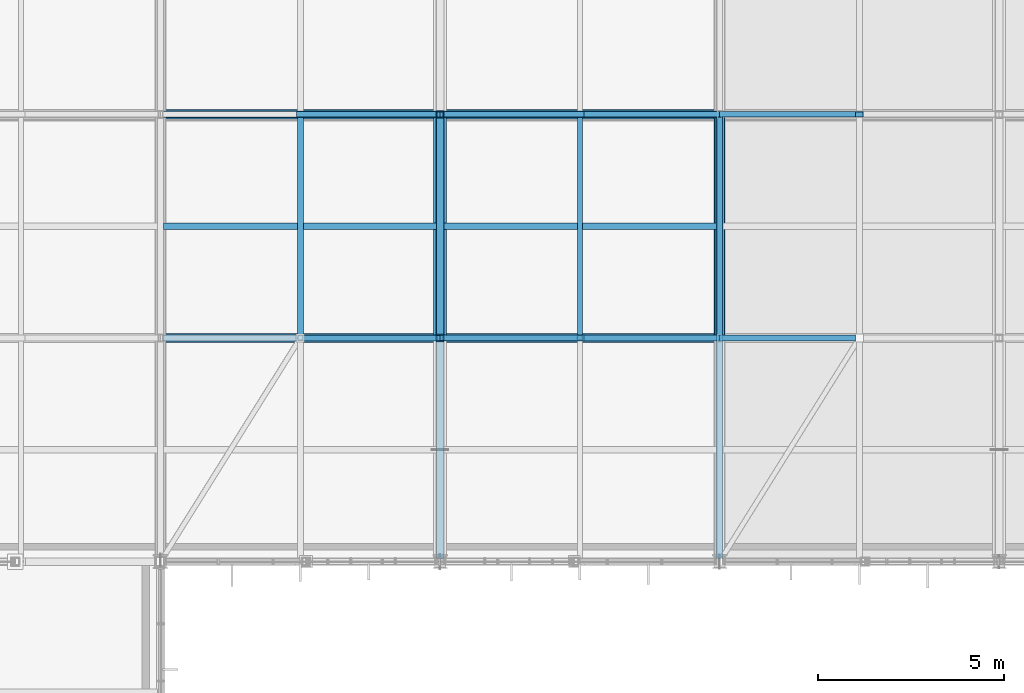
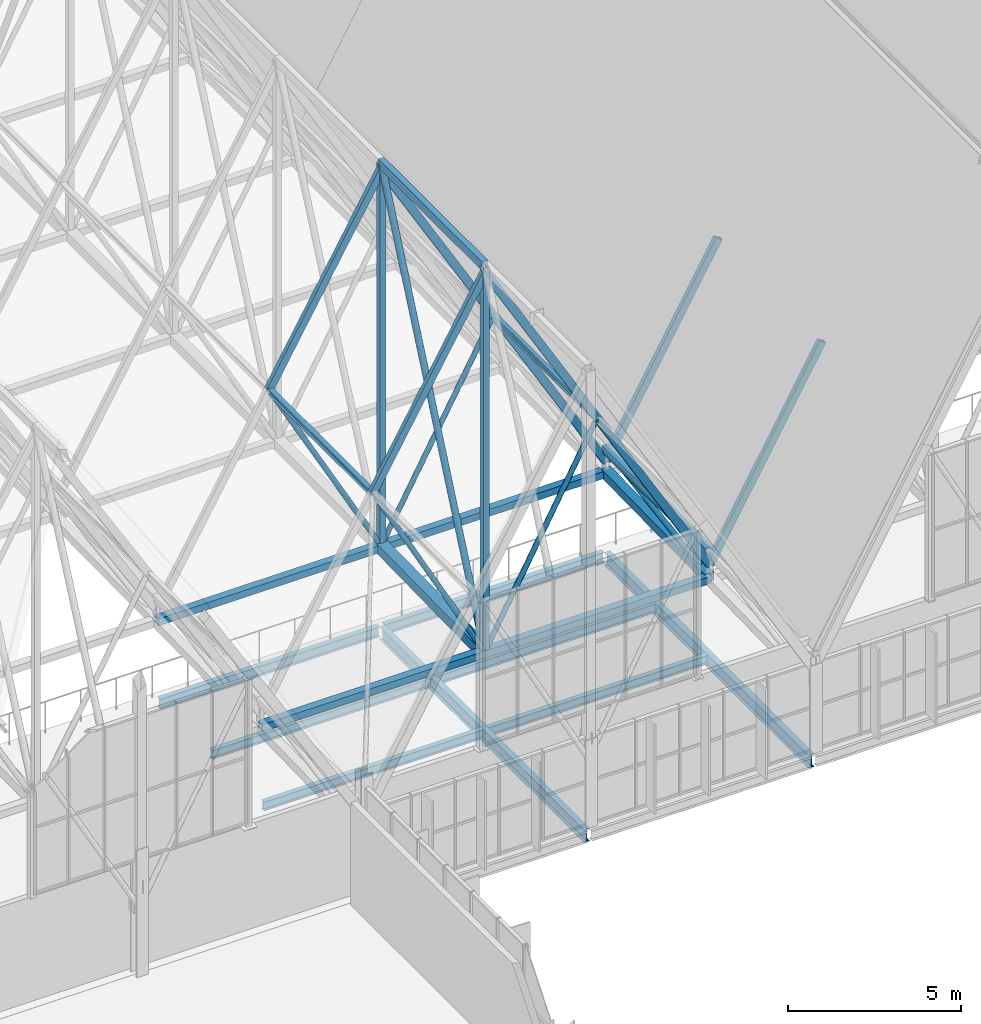
# One storey, part 102 of 324: 22 members, 10 beams.
"""IFC4 building model written with IfcOpenShell, lengths in metres."""

from ifc_helpers import new_model, si_unit, direction, frame, origin, origin_2d, place, context, subcontext, project, spatial, hollow_rectangle, hollow_circle, i_section, extrude, material, material_profile, profile_set, type_object, element, save


model = new_model("IFC4")

# Units and contexts
model_context = context("Model", 3, precision=1e-05, world=origin(), true_north=direction((0.0, 1.0)))
body_context = subcontext(model_context, "Body", "Model", "MODEL_VIEW")
ifc_project = project(units=[si_unit("LENGTHUNIT", "METRE"), si_unit("AREAUNIT", "SQUARE_METRE"), si_unit("VOLUMEUNIT", "CUBIC_METRE"), si_unit("PLANEANGLEUNIT", "RADIAN"), si_unit("MASSUNIT", "GRAM", prefix="KILO")], contexts=[model_context])

# Site, building, storey
site_placement = place(None, origin())
site = spatial("IfcSite", under=ifc_project, at=site_placement, CompositionType="ELEMENT")
building_placement = place(site_placement, origin())
building = spatial("IfcBuilding", under=site, at=building_placement, Name="Solvenia Promenade Tram Depot", CompositionType="ELEMENT")
storey_placement = place(building_placement, frame((0.0, 0.0, 4.5)))
storey = spatial("IfcBuildingStorey", under=building, at=storey_placement, Name="L01", CompositionType="ELEMENT", Elevation=4.5)

# Beams
ifc_material_1 = material(Name="Structural steel ASTM A992 Gr. 50", Category="steel")
ifc_material_profile_1 = material_profile(ifc_material_1, i_section(OverallWidth=0.19091796875, OverallDepth=0.4599609375, WebThickness=0.010009765625, FlangeThickness=0.01611328125, FilletRadius=0.012939453125, at=origin_2d()), Name="W460x82", Category="steel")
ifc_profile_set_1 = profile_set([ifc_material_profile_1], Name="Structural steel ASTM A992 Gr. 50")
beam_type_1 = type_object("IfcBeamType", Name="Beam-W460x82", PredefinedType="BEAM", material=ifc_profile_set_1)
for number, where, z_axis, x_axis, name in (
    (1, (52.5, 66.0849609375, -0.449951171875), (0.0, 1.0, 0.0), (-1.0, 0.0, 0.0), "Transverse Girder BM-L01-0048"),
    (2, (60.0, 66.0849609375, -0.449951171875), (0.0, 1.0, 0.0), (-1.0, 0.0, 0.0), "Transverse Girder BM-L01-0049"),
):
    element("IfcBeam", number, at=place(storey_placement, frame(where, z_axis=z_axis, x_axis=x_axis)), inside=storey, type_object=beam_type_1, Name=name, PredefinedType="BEAM", context=body_context, shape_type="SweptSolid", body=[
        extrude(i_section(OverallWidth=0.19091796875, OverallDepth=0.4599609375, WebThickness=0.010009765625, FlangeThickness=0.01611328125, FilletRadius=0.012939453125, at=origin_2d()), origin(), (0.0, 0.0, 1.0), 11.830078125),
    ])

# Members
ifc_material_2 = material(Name="Structural steel ASTM A500 Gr. C", Category="steel")
ifc_material_profile_2 = material_profile(ifc_material_2, hollow_circle(Radius=0.109619140625, WallThickness=0.008056640625, at=origin_2d()), Name="CHS219.1x8", Category="steel")
ifc_profile_set_2 = profile_set([ifc_material_profile_2], Name="Structural steel ASTM A500 Gr. C")
member_type_1 = type_object("IfcMemberType", Name="Brace-CHS219x8", PredefinedType="BRACE", material=ifc_profile_set_2)
member_1_placement = place(storey_placement, frame((52.5, 72.0, 2.446044921875), z_axis=(0.0, 0.402603008516, 0.915374686964), x_axis=(-1.0, 0.0, 0.0)))
element("IfcMember", 3, at=member_1_placement, inside=storey, type_object=member_type_1, Name="Arched Truss T08 Web Diagonal S02", PredefinedType="BRACE", context=body_context, shape_type="SweptSolid", body=[
    extrude(hollow_circle(Radius=0.109619140625, WallThickness=0.008056640625, at=origin_2d()), origin(), (0.0, 0.0, 1.0), 14.903076171875),
])
ifc_material_profile_3 = material_profile(ifc_material_2, hollow_rectangle(XDim=0.14990234375, YDim=0.25, WallThickness=0.010009765625, at=origin_2d()), Name="HSS250x150x10", Category="steel")
ifc_profile_set_3 = profile_set([ifc_material_profile_3], Name="Structural steel ASTM A500 Gr. C")
member_type_2 = type_object("IfcMemberType", Name="Chord-HSS250x150x10", PredefinedType="CHORD", material=ifc_profile_set_3)
for number, where, z_axis, x_axis, name in (
    (4, (48.75, 72.0, 9.39013671875), (0.501516268578, 0.0, 0.865148214095), (0.0, 1.0, 0.0), "Zigzag Gable 04 West Upper Rafter"),
    (5, (52.5, 72.0, 15.859130859375), (0.501516268578, 0.0, -0.865148214095), (0.0, 1.0, 0.0), "Zigzag Gable 04 East Upper Rafter"),
    (6, (56.25, 72.0, 9.39013671875), (0.501516268578, 0.0, -0.865148214095), (0.0, 1.0, 0.0), "Zigzag Gable 04 East Lower Rafter"),
    (7, (48.75, 78.0, 9.39013671875), (0.501516268578, 0.0, 0.865148214095), (0.0, 1.0, 0.0), "Zigzag Gable 04 West Upper Rafter"),
    (8, (52.5, 78.0, 15.859130859375), (0.501516268578, 0.0, -0.865148214095), (0.0, 1.0, 0.0), "Zigzag Gable 04 East Upper Rafter"),
    (9, (56.25, 78.0, 9.39013671875), (0.501516268578, 0.0, -0.865148214095), (0.0, 1.0, 0.0), "Zigzag Gable 04 East Lower Rafter"),
):
    element("IfcMember", number, at=place(storey_placement, frame(where, z_axis=z_axis, x_axis=x_axis)), inside=storey, type_object=member_type_2, Name=name, PredefinedType="CHORD", context=body_context, shape_type="SweptSolid", body=[
        extrude(hollow_rectangle(XDim=0.14990234375, YDim=0.25, WallThickness=0.010009765625, at=origin_2d()), origin(), (0.0, 0.0, 1.0), 7.477294921875),
    ])
for number, where, z_axis, x_axis, name in (
    (10, (60.0, 72.0, 2.916259765625), (0.494861595532, 0.0, 0.868971806946), (0.0, 1.0, 0.0), "Zigzag Gable 05 West Lower Rafter"),
    (11, (60.0, 78.0, 2.916259765625), (0.494861595532, 0.0, 0.868971806946), (0.0, 1.0, 0.0), "Zigzag Gable 05 West Lower Rafter"),
):
    element("IfcMember", number, at=place(storey_placement, frame(where, z_axis=z_axis, x_axis=x_axis)), inside=storey, type_object=member_type_2, Name=name, PredefinedType="CHORD", context=body_context, shape_type="SweptSolid", body=[
        extrude(hollow_rectangle(XDim=0.14990234375, YDim=0.25, WallThickness=0.010009765625, at=origin_2d()), origin(), (0.0, 0.0, 1.0), 7.577880859375),
    ])
ifc_material_profile_4 = material_profile(ifc_material_2, hollow_rectangle(XDim=0.25, YDim=0.25, WallThickness=0.010009765625, at=origin_2d()), Name="HSS250x250x10", Category="steel")
ifc_profile_set_4 = profile_set([ifc_material_profile_4], Name="Structural steel ASTM A500 Gr. C")
member_type_3 = type_object("IfcMemberType", Name="Chord-HSS250x250x10", PredefinedType="CHORD", material=ifc_profile_set_4)
member_2_placement = place(storey_placement, frame((60.0, 72.0, 3.3798828125), z_axis=(0.0, 1.0, 0.0), x_axis=(-1.0, 0.0, 0.0)))
element("IfcMember", 12, at=member_2_placement, inside=storey, type_object=member_type_3, Name="Arched Truss T09 Upper Chord S02", PredefinedType="CHORD", context=body_context, shape_type="SweptSolid", body=[
    extrude(hollow_rectangle(XDim=0.25, YDim=0.25, WallThickness=0.010009765625, at=origin_2d()), origin(), (0.0, 0.0, 1.0), 6.0),
])
for number, where, z_axis, x_axis, name in (
    (13, (45.0, 72.0, 2.446044921875), (1.0, 0.0, 0.0), (0.0, 1.0, 0.0), "Bottom-Chord Catenary Lateral Tie 028"),
    (14, (45.0, 78.0, 2.5439453125), (1.0, 0.0, 0.0), (0.0, 1.0, 0.0), "Bottom-Chord Catenary Lateral Tie 029"),
):
    element("IfcMember", number, at=place(storey_placement, frame(where, z_axis=z_axis, x_axis=x_axis)), inside=storey, type_object=member_type_3, Name=name, PredefinedType="CHORD", context=body_context, shape_type="SweptSolid", body=[
        extrude(hollow_rectangle(XDim=0.25, YDim=0.25, WallThickness=0.010009765625, at=origin_2d()), origin(), (0.0, 0.0, 1.0), 15.0),
    ])
ifc_material_profile_5 = material_profile(ifc_material_2, hollow_rectangle(XDim=0.199951171875, YDim=0.300048828125, WallThickness=0.012451171875, at=origin_2d()), Name="HSS300x200x12.5", Category="steel")
ifc_profile_set_5 = profile_set([ifc_material_profile_5], Name="Structural steel ASTM A500 Gr. C")
member_type_4 = type_object("IfcMemberType", Name="Chord-HSS300x200x12", PredefinedType="CHORD", material=ifc_profile_set_5)
member_3_placement = place(storey_placement, frame((52.5, 72.0, 16.087890625), z_axis=(0.0, 1.0, 0.0), x_axis=(-1.0, 0.0, 0.0)))
element("IfcMember", 15, at=member_3_placement, inside=storey, type_object=member_type_4, Name="Arched Truss T08 Upper Chord S02", PredefinedType="CHORD", context=body_context, shape_type="SweptSolid", body=[
    extrude(hollow_rectangle(XDim=0.199951171875, YDim=0.300048828125, WallThickness=0.012451171875, at=origin_2d()), origin(), (0.0, 0.0, 1.0), 6.0),
])
ifc_material_profile_6 = material_profile(ifc_material_2, hollow_rectangle(XDim=0.300048828125, YDim=0.300048828125, WallThickness=0.012451171875, at=origin_2d()), Name="HSS300x300x12.5", Category="steel")
ifc_profile_set_6 = profile_set([ifc_material_profile_6], Name="Structural steel ASTM A500 Gr. C")
member_type_5 = type_object("IfcMemberType", Name="Chord-HSS300x300x12", PredefinedType="CHORD", material=ifc_profile_set_6)
member_4_placement = place(storey_placement, frame((60.0, 72.0, 2.446044921875), z_axis=(0.0, 0.999866908707, 0.016314560156), x_axis=(-1.0, 0.0, 0.0)))
element("IfcMember", 16, at=member_4_placement, inside=storey, type_object=member_type_5, Name="Arched Truss T09 Bottom Chord S02", PredefinedType="CHORD", context=body_context, shape_type="SweptSolid", body=[
    extrude(hollow_rectangle(XDim=0.300048828125, YDim=0.300048828125, WallThickness=0.012451171875, at=origin_2d()), origin(), (0.0, 0.0, 1.0), 6.000732421875),
])
ifc_material_profile_7 = material_profile(ifc_material_2, hollow_rectangle(XDim=0.35009765625, YDim=0.35009765625, WallThickness=0.01611328125, at=origin_2d()), Name="HSS350x350x16", Category="steel")
ifc_profile_set_7 = profile_set([ifc_material_profile_7], Name="Structural steel ASTM A500 Gr. C")
member_type_6 = type_object("IfcMemberType", Name="Chord-HSS350x350x16", PredefinedType="CHORD", material=ifc_profile_set_7)
member_5_placement = place(storey_placement, frame((52.5, 72.0, 2.446044921875), z_axis=(0.0, 0.999866908707, 0.016314560156), x_axis=(-1.0, 0.0, 0.0)))
element("IfcMember", 17, at=member_5_placement, inside=storey, type_object=member_type_6, Name="Arched Truss T08 Bottom Chord S02", PredefinedType="CHORD", context=body_context, shape_type="SweptSolid", body=[
    extrude(hollow_rectangle(XDim=0.35009765625, YDim=0.35009765625, WallThickness=0.01611328125, at=origin_2d()), origin(), (0.0, 0.0, 1.0), 6.000732421875),
])

# Beams
ifc_material_profile_8 = material_profile(ifc_material_1, i_section(OverallWidth=0.166015625, OverallDepth=0.31298828125, WebThickness=0.006591796875, FlangeThickness=0.01123046875, FilletRadius=0.010009765625, at=origin_2d()), Name="W310x45", Category="steel")
ifc_profile_set_8 = profile_set([ifc_material_profile_8], Name="Structural steel ASTM A992 Gr. 50")
beam_type_2 = type_object("IfcBeamType", Name="Joist-W310x45", PredefinedType="JOIST", material=ifc_profile_set_8)
for number, where, z_axis, x_axis, name in (
    (18, (45.0849609375, 72.0, -0.37646484375), (1.0, 0.0, 0.0), (0.0, 1.0, 0.0), "Secondary Floor Joist BM-L01-0080"),
    (19, (45.0849609375, 75.0, -0.37646484375), (1.0, 0.0, 0.0), (0.0, 1.0, 0.0), "Secondary Floor Joist BM-L01-0081"),
    (20, (52.5849609375, 72.0, -0.37646484375), (1.0, 0.0, 0.0), (0.0, 1.0, 0.0), "Secondary Floor Joist BM-L01-0083"),
    (21, (52.5849609375, 75.0, -0.37646484375), (1.0, 0.0, 0.0), (0.0, 1.0, 0.0), "Secondary Floor Joist BM-L01-0084"),
):
    element("IfcBeam", number, at=place(storey_placement, frame(where, z_axis=z_axis, x_axis=x_axis)), inside=storey, type_object=beam_type_2, Name=name, PredefinedType="JOIST", context=body_context, shape_type="SweptSolid", body=[
        extrude(i_section(OverallWidth=0.166015625, OverallDepth=0.31298828125, WebThickness=0.006591796875, FlangeThickness=0.01123046875, FilletRadius=0.010009765625, at=origin_2d()), origin(), (0.0, 0.0, 1.0), 7.330078125),
    ])

# Members
ifc_material_profile_9 = material_profile(ifc_material_2, hollow_rectangle(XDim=0.199951171875, YDim=0.199951171875, WallThickness=0.010009765625, at=origin_2d()), Name="HSS200x200x10", Category="steel")
ifc_profile_set_9 = profile_set([ifc_material_profile_9], Name="Structural steel ASTM A500 Gr. C")
member_type_7 = type_object("IfcMemberType", Name="Post-HSS200x200x10", PredefinedType="POST", material=ifc_profile_set_9)
member_6_placement = place(storey_placement, frame((52.5, 72.0, 2.446044921875), z_axis=(0.0, 0.0, 1.0), x_axis=(1.0, 0.0, 0.0)))
element("IfcMember", 22, at=member_6_placement, inside=storey, type_object=member_type_7, Name="Arched Truss T08 Web Post S01", PredefinedType="POST", context=body_context, shape_type="SweptSolid", body=[
    extrude(hollow_rectangle(XDim=0.199951171875, YDim=0.199951171875, WallThickness=0.010009765625, at=origin_2d()), origin(), (0.0, 0.0, 1.0), 13.641845703125),
])
member_7_placement = place(storey_placement, frame((52.5, 78.0, 2.5439453125), z_axis=(0.0, 0.0, 1.0), x_axis=(1.0, 0.0, 0.0)))
element("IfcMember", 23, at=member_7_placement, inside=storey, type_object=member_type_7, Name="Arched Truss T08 Web Post S02", PredefinedType="POST", context=body_context, shape_type="SweptSolid", body=[
    extrude(hollow_rectangle(XDim=0.199951171875, YDim=0.199951171875, WallThickness=0.010009765625, at=origin_2d()), origin(), (0.0, 0.0, 1.0), 13.5439453125),
])

# Beams
ifc_material_profile_10 = material_profile(ifc_material_1, i_section(OverallWidth=0.133056640625, OverallDepth=0.20703125, WebThickness=0.005859375, FlangeThickness=0.00830078125, FilletRadius=0.009033203125, at=origin_2d()), Name="W200x27", Category="steel")
ifc_profile_set_10 = profile_set([ifc_material_profile_10], Name="Structural steel ASTM A992 Gr. 50")
beam_type_3 = type_object("IfcBeamType", Name="Purlin-W200x27", PredefinedType="USERDEFINED", material=ifc_profile_set_10)
beam_1_placement = place(storey_placement, frame((56.25, 72.0849609375, 9.375732421875), z_axis=(0.0, 1.0, 0.0), x_axis=(-1.0, 0.0, 0.0)))
element("IfcBeam", 24, at=beam_1_placement, inside=storey, type_object=beam_type_3, Name="Gable Roof Purlin E-0064", ObjectType="PURLIN", PredefinedType="USERDEFINED", context=body_context, shape_type="SweptSolid", body=[
    extrude(i_section(OverallWidth=0.133056640625, OverallDepth=0.20703125, WebThickness=0.005859375, FlangeThickness=0.00830078125, FilletRadius=0.009033203125, at=origin_2d()), origin(), (0.0, 0.0, 1.0), 5.830078125),
])
ifc_material_profile_11 = material_profile(ifc_material_1, i_section(OverallWidth=0.1650390625, OverallDepth=0.200927734375, WebThickness=0.006103515625, FlangeThickness=0.01025390625, FilletRadius=0.010009765625, at=origin_2d()), Name="W200x36", Category="steel")
ifc_profile_set_11 = profile_set([ifc_material_profile_11], Name="Structural steel ASTM A992 Gr. 50")
beam_type_4 = type_object("IfcBeamType", Name="Purlin-W200x36", PredefinedType="USERDEFINED", material=ifc_profile_set_11)
beam_2_placement = place(storey_placement, frame((48.75, 72.0849609375, 9.375732421875), z_axis=(0.0, 1.0, 0.0), x_axis=(-1.0, 0.0, 0.0)))
element("IfcBeam", 25, at=beam_2_placement, inside=storey, type_object=beam_type_4, Name="Gable Roof Purlin W-0063", ObjectType="PURLIN", PredefinedType="USERDEFINED", context=body_context, shape_type="SweptSolid", body=[
    extrude(i_section(OverallWidth=0.1650390625, OverallDepth=0.200927734375, WebThickness=0.006103515625, FlangeThickness=0.01025390625, FilletRadius=0.010009765625, at=origin_2d()), origin(), (0.0, 0.0, 1.0), 5.830078125),
])
ifc_material_profile_12 = material_profile(ifc_material_1, i_section(OverallWidth=0.172119140625, OverallDepth=0.35791015625, WebThickness=0.0078125, FlangeThickness=0.01318359375, FilletRadius=0.010986328125, at=origin_2d()), Name="W360x57", Category="steel")
ifc_profile_set_12 = profile_set([ifc_material_profile_12], Name="Structural steel ASTM A992 Gr. 50")
beam_type_5 = type_object("IfcBeamType", Name="Spandrel-W360x57", PredefinedType="SPANDREL", material=ifc_profile_set_12)
for number, where, z_axis, x_axis, name in (
    (26, (45.0849609375, 78.0, -0.39892578125), (1.0, 0.0, 0.0), (0.0, 1.0, 0.0), "Perimeter Spandrel BM-L01-0027"),
    (27, (52.5849609375, 78.0, -0.39892578125), (1.0, 0.0, 0.0), (0.0, 1.0, 0.0), "Perimeter Spandrel BM-L01-0028"),
):
    element("IfcBeam", number, at=place(storey_placement, frame(where, z_axis=z_axis, x_axis=x_axis)), inside=storey, type_object=beam_type_5, Name=name, PredefinedType="SPANDREL", context=body_context, shape_type="SweptSolid", body=[
        extrude(i_section(OverallWidth=0.172119140625, OverallDepth=0.35791015625, WebThickness=0.0078125, FlangeThickness=0.01318359375, FilletRadius=0.010986328125, at=origin_2d()), origin(), (0.0, 0.0, 1.0), 7.330078125),
    ])

# Members
ifc_material_profile_13 = material_profile(ifc_material_2, hollow_circle(Radius=0.084228515625, WallThickness=0.008056640625, at=origin_2d()), Name="CHS168.3x8", Category="steel")
ifc_profile_set_13 = profile_set([ifc_material_profile_13], Name="Structural steel ASTM A500 Gr. C")
member_type_8 = type_object("IfcMemberType", Name="WebDiag-CHS168x8", PredefinedType="BRACE", material=ifc_profile_set_13)
member_8_placement = place(storey_placement, frame((60.0, 72.0, 2.446044921875), z_axis=(0.0, 0.9881038455, 0.153788135133), x_axis=(-1.0, 0.0, 0.0)))
element("IfcMember", 28, at=member_8_placement, inside=storey, type_object=member_type_8, Name="Arched Truss T09 Web Diagonal S02", PredefinedType="BRACE", context=body_context, shape_type="SweptSolid", body=[
    extrude(hollow_circle(Radius=0.084228515625, WallThickness=0.008056640625, at=origin_2d()), origin(), (0.0, 0.0, 1.0), 6.072265625),
])
for number, where, z_axis, x_axis, name in (
    (29, (52.5, 72.0, 2.446044921875), (-0.475167596576, 0.0, 0.879895309207), (0.0, -1.0, 0.0), "Zigzag Gable 04 West Knee Strut"),
    (30, (52.5, 72.0, 2.446044921875), (0.475167596576, 0.0, 0.879895309207), (0.0, 1.0, 0.0), "Zigzag Gable 04 East Knee Strut"),
):
    element("IfcMember", number, at=place(storey_placement, frame(where, z_axis=z_axis, x_axis=x_axis)), inside=storey, type_object=member_type_8, Name=name, PredefinedType="BRACE", context=body_context, shape_type="SweptSolid", body=[
        extrude(hollow_circle(Radius=0.084228515625, WallThickness=0.008056640625, at=origin_2d()), origin(), (0.0, 0.0, 1.0), 7.891845703125),
    ])
for number, where, z_axis, x_axis, name in (
    (31, (52.5, 78.0, 2.5439453125), (-0.480402843129, 0.0, 0.877047950978), (0.0, -1.0, 0.0), "Zigzag Gable 04 West Knee Strut"),
    (32, (52.5, 78.0, 2.5439453125), (0.480402843129, 0.0, 0.877047950978), (0.0, 1.0, 0.0), "Zigzag Gable 04 East Knee Strut"),
):
    element("IfcMember", number, at=place(storey_placement, frame(where, z_axis=z_axis, x_axis=x_axis)), inside=storey, type_object=member_type_8, Name=name, PredefinedType="BRACE", context=body_context, shape_type="SweptSolid", body=[
        extrude(hollow_circle(Radius=0.084228515625, WallThickness=0.008056640625, at=origin_2d()), origin(), (0.0, 0.0, 1.0), 7.805908203125),
    ])

save(model, "model.ifc")
